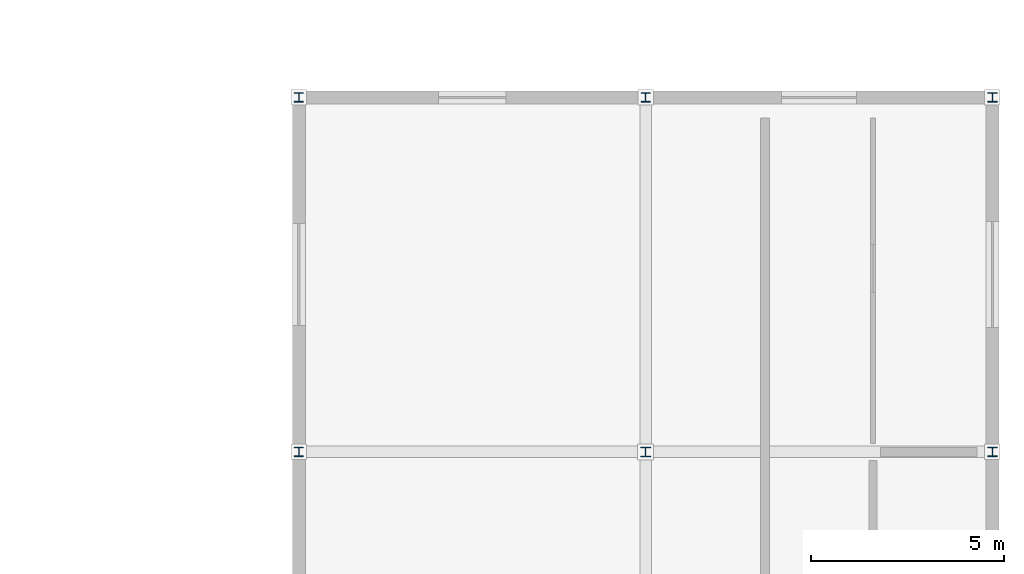
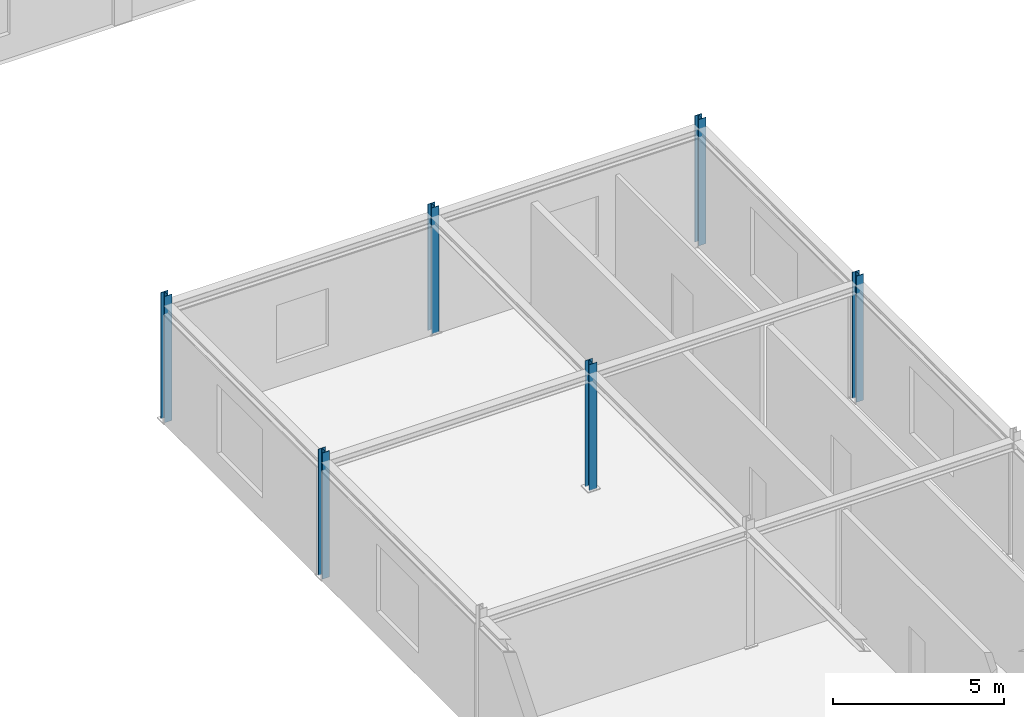
# One storey, part 5 of 55: 6 columns.
"""IFC4 building model written with IfcOpenShell, lengths in metres."""

import ifcopenshell
import ifcopenshell.guid

model = None  # the IFC model being written
_history = None  # IfcOwnerHistory: only IFC2X3 demands one
_inside = {}  # id of a spatial element -> (the spatial element, [elements in it])
_under = {}  # id of a project, library or spatial element -> (it, [spatial elements below it])
_declared = {}  # id of a project -> (the project, [libraries it declares])
_typed = {}  # id of a type object -> (the type object, [elements of that type])
_made_of = {}  # id of a material, layer set ... -> (it, [elements and type objects made of it])


def new_model(schema):
    """Start an empty IFC model of exactly this schema.

    Asked for "IFC4X3", IfcOpenShell would pick the latest addendum, in which some entities
    have other attributes; the version numbers below select the first issue.
    IFC2X3 requires an IfcOwnerHistory on every rooted entity: one is made here for all.
    """
    global model, _history
    if schema == "IFC4X3":
        model = ifcopenshell.file(schema_version=(4, 3, 0, 0))
    else:
        model = ifcopenshell.file(schema=schema)
    _inside.clear()
    _under.clear()
    _declared.clear()
    _typed.clear()
    _made_of.clear()
    _history = None
    if model.schema == "IFC2X3":
        org = make("IfcOrganization", Name="unknown")
        user = make(
            "IfcPersonAndOrganization",
            ThePerson=make("IfcPerson", FamilyName="unknown"),
            TheOrganization=org,
        )
        app = make(
            "IfcApplication",
            ApplicationDeveloper=org,
            Version="unknown",
            ApplicationFullName="unknown",
            ApplicationIdentifier="unknown",
        )
        _history = make(
            "IfcOwnerHistory",
            OwningUser=user,
            OwningApplication=app,
            ChangeAction="ADDED",
            CreationDate=0,
        )
    return model


def make(cls, **values):
    """One entity of the class cls with the attributes given. An attribute that is None is left unset."""
    return model.create_entity(
        cls, **{name: value for name, value in values.items() if value is not None}
    )


def rooted(cls, **values):
    """An entity with a GlobalId (a new one), such as an element, a storey or a relation."""
    return make(cls, GlobalId=ifcopenshell.guid.new(), OwnerHistory=_history, **values)


def si_unit(unit_type, name, prefix=None):
    """IfcSIUnit, for example si_unit("LENGTHUNIT", "METRE", prefix="MILLI")."""
    return make("IfcSIUnit", UnitType=unit_type, Prefix=prefix, Name=name)


def assignment(units):
    """IfcUnitAssignment: the units of a project."""
    return None if units is None else make("IfcUnitAssignment", Units=units)


def point(xyz):
    """IfcCartesianPoint."""
    return None if xyz is None else make("IfcCartesianPoint", Coordinates=xyz)


def direction(xyz):
    """IfcDirection."""
    return None if xyz is None else make("IfcDirection", DirectionRatios=xyz)


def frame(location, z_axis=None, x_axis=None):
    """IfcAxis2Placement3D, a coordinate frame: its origin and axes. An axis left out is left unset."""
    return make(
        "IfcAxis2Placement3D",
        Location=point(location),
        Axis=direction(z_axis),
        RefDirection=direction(x_axis),
    )


def frame_2d(location, x_axis=None):
    """IfcAxis2Placement2D, a coordinate frame in the plane: its origin and x axis."""
    return make(
        "IfcAxis2Placement2D", Location=point(location), RefDirection=direction(x_axis)
    )


def origin():
    """The frame at (0, 0, 0) with its axes left unset."""
    return frame((0.0, 0.0, 0.0))


def origin_2d():
    """The frame at (0, 0) in the plane with its x axis left unset."""
    return frame_2d((0.0, 0.0))


def place(relative_to, where):
    """IfcLocalPlacement: puts the frame where relative to a parent placement (None: the world)."""
    return make(
        "IfcLocalPlacement", PlacementRelTo=relative_to, RelativePlacement=where
    )


def context(
    kind, dimensions, precision=None, world=None, true_north=None, identifier=None
):
    """IfcGeometricRepresentationContext, for example the 3D "Model" context."""
    return make(
        "IfcGeometricRepresentationContext",
        ContextIdentifier=identifier,
        ContextType=kind,
        CoordinateSpaceDimension=dimensions,
        Precision=precision,
        WorldCoordinateSystem=world,
        TrueNorth=true_north,
    )


def subcontext(parent, identifier, kind, view, scale=None):
    """IfcGeometricRepresentationSubContext, for example "Body" below "Model"."""
    return make(
        "IfcGeometricRepresentationSubContext",
        ContextIdentifier=identifier,
        ContextType=kind,
        ParentContext=parent,
        TargetScale=scale,
        TargetView=view,
    )


def project(units=None, contexts=None):
    """IfcProject with its units and contexts."""
    return rooted(
        "IfcProject",
        Name="project",
        RepresentationContexts=contexts,
        UnitsInContext=assignment(units),
    )


def spatial(cls, under=None, at=None, **own):
    """A site, building, storey or space (cls), placed at a placement, below another one or the project."""
    s = rooted(cls, ObjectPlacement=at, **own)
    if under is not None:
        _under.setdefault(under.id(), (under, []))[1].append(s)
    return s


def profile(cls, at=None, kind="AREA", **sizes):
    """A parametric profile (cls). Its sizes go by their IFC names, for example OverallWidth=200.0."""
    return make(cls, ProfileType=kind, Position=at, **sizes)


def i_section(**sizes):
    """IfcIShapeProfileDef."""
    return profile("IfcIShapeProfileDef", **sizes)


def extrude(swept, where, along, depth):
    """IfcExtrudedAreaSolid: the profile swept, set in the frame where, extruded along a direction by depth."""
    return make(
        "IfcExtrudedAreaSolid",
        SweptArea=swept,
        Position=where,
        ExtrudedDirection=direction(along),
        Depth=depth,
    )


def shape(context_of_items, identifier, shape_type, items):
    """IfcShapeRepresentation: the items that make up one representation, for example the "Body"."""
    return make(
        "IfcShapeRepresentation",
        ContextOfItems=context_of_items,
        RepresentationIdentifier=identifier,
        RepresentationType=shape_type,
        Items=items,
    )


def material(Name=None, Category=None):
    """IfcMaterial."""
    return make("IfcMaterial", Name=Name, Category=Category)


def material_profile(
    of_material, cross_section, Name=None, Category=None, Priority=None
):
    """IfcMaterialProfile: a cross section and its material."""
    return make(
        "IfcMaterialProfile",
        Name=Name,
        Material=of_material,
        Profile=cross_section,
        Priority=Priority,
        Category=Category,
    )


def profile_set(profiles, Name=None, composite=None):
    """IfcMaterialProfileSet."""
    return make(
        "IfcMaterialProfileSet",
        Name=Name,
        MaterialProfiles=profiles,
        CompositeProfile=composite,
    )


def made_of(thing, what):
    """Note that an element or type object is made of a material, layer set ...; save() writes the relation."""
    if what is not None:
        _made_of.setdefault(what.id(), (what, []))[1].append(thing)
    return thing


def type_object(cls, material=None, **own):
    """A type object (cls), such as IfcWallType, which elements share."""
    return made_of(rooted(cls, **own), material)


def element(
    cls,
    number,
    at=None,
    inside=None,
    cuts=None,
    type_object=None,
    material=None,
    context=None,
    identifier="Body",
    shape_type=None,
    held_by="IfcProductDefinitionShape",
    body=None,
    shapes=None,
    **own,
):
    """One element of the class cls, such as IfcWall. Its Tag is "e" and its number.

    at: its placement. inside: the storey or other place that contains it. cuts: it is an
    opening in that element (IfcRelVoidsElement). A single representation is given by context,
    identifier, shape_type and body (its items); several are given by shapes. held_by: the class
    of the entity that holds the representations. save() writes the other relations.
    """
    e = rooted(cls, Tag="e%d" % number, ObjectPlacement=at, **own)
    if body is not None:
        shapes = [shape(context, identifier, shape_type, body)]
    if shapes is not None:
        e.Representation = make(held_by, Representations=shapes)
    if inside is not None:
        _inside.setdefault(inside.id(), (inside, []))[1].append(e)
    if cuts is not None:
        rooted(
            "IfcRelVoidsElement", RelatingBuildingElement=cuts, RelatedOpeningElement=e
        )
    if type_object is not None:
        _typed.setdefault(type_object.id(), (type_object, []))[1].append(e)
    return made_of(e, material)


def aggregate(whole, parts):
    """IfcRelAggregates: a whole, such as a stair, and the parts it consists of."""
    return rooted("IfcRelAggregates", RelatingObject=whole, RelatedObjects=parts)


def save(model, path):
    """Write the relations noted so far, then the file.

    IfcRelAggregates (storeys below a building ...), IfcRelContainedInSpatialStructure (elements
    in a storey), IfcRelDefinesByType, IfcRelAssociatesMaterial and IfcRelDeclares: one each for
    every whole, place, type object, material and project.
    """
    for whole, parts in _under.values():
        aggregate(whole, parts)
    for where, things in _inside.values():
        rooted(
            "IfcRelContainedInSpatialStructure",
            RelatedElements=things,
            RelatingStructure=where,
        )
    for kind, things in _typed.values():
        rooted("IfcRelDefinesByType", RelatedObjects=things, RelatingType=kind)
    for what, things in _made_of.values():
        rooted("IfcRelAssociatesMaterial", RelatedObjects=things, RelatingMaterial=what)
    for by, libraries in _declared.values():
        rooted("IfcRelDeclares", RelatingContext=by, RelatedDefinitions=libraries)
    model.write(path)


model = new_model("IFC4")

# Units and contexts
model_context = context("Model", 3, precision=1e-05, world=origin(), true_north=direction((0.0, 1.0)))
body_context = subcontext(model_context, "Body", "Model", "MODEL_VIEW")
ifc_project = project(units=[si_unit("LENGTHUNIT", "METRE"), si_unit("AREAUNIT", "SQUARE_METRE"), si_unit("VOLUMEUNIT", "CUBIC_METRE"), si_unit("PLANEANGLEUNIT", "RADIAN"), si_unit("MASSUNIT", "GRAM", prefix="KILO")], contexts=[model_context])

# Site, building, storey
site_placement = place(None, origin())
site = spatial("IfcSite", under=ifc_project, at=site_placement, CompositionType="ELEMENT")
building_placement = place(site_placement, origin())
building = spatial("IfcBuilding", under=site, at=building_placement, Name="Bozkorgan Art Gallery", CompositionType="ELEMENT")
storey_placement = place(building_placement, frame((0.0, 0.0, 15.0)))
storey = spatial("IfcBuildingStorey", under=building, at=storey_placement, Name="L03", CompositionType="ELEMENT", Elevation=15.0)

# Columns
ifc_material = material(Name="Steel S355J2", Category="steel")
ifc_material_profile_1 = material_profile(ifc_material, i_section(OverallWidth=0.239990234375, OverallDepth=0.239990234375, WebThickness=0.010009765625, FlangeThickness=0.01708984375, FilletRadius=0.02099609375, at=origin_2d()), Name="HEB 240")
ifc_profile_set_1 = profile_set([ifc_material_profile_1], Name="Steel S355J2")
column_type_1 = type_object("IfcColumnType", Name="COLUMN-C-35", PredefinedType="COLUMN", material=ifc_profile_set_1)
for number, where, z_axis, x_axis, name in (
    (1, (146.0, 38.39990234375, 0.0), (0.0, 0.0, 1.0), (1.0, 0.0, 0.0), "V6 L03 column (146.0, 38.4)"),
    (2, (146.0, 47.60009765625, 0.0), (0.0, 0.0, 1.0), (1.0, 0.0, 0.0), "V6 L03 column (146.0, 47.6)"),
    (3, (155.0, 47.60009765625, 0.0), (0.0, 0.0, 1.0), (1.0, 0.0, 0.0), "V6 L03 column (155.0, 47.6)"),
    (4, (164.0, 38.39990234375, 0.0), (0.0, 0.0, 1.0), (1.0, 0.0, 0.0), "V6 L03 column (164.0, 38.4)"),
    (5, (164.0, 47.60009765625, 0.0), (0.0, 0.0, 1.0), (1.0, 0.0, 0.0), "V6 L03 column (164.0, 47.6)"),
):
    element("IfcColumn", number, at=place(storey_placement, frame(where, z_axis=z_axis, x_axis=x_axis)), inside=storey, type_object=column_type_1, Name=name, PredefinedType="COLUMN", context=body_context, shape_type="SweptSolid", body=[
        extrude(i_section(OverallWidth=0.239990234375, OverallDepth=0.239990234375, WebThickness=0.010009765625, FlangeThickness=0.01708984375, FilletRadius=0.02099609375, at=origin_2d()), origin(), (0.0, 0.0, 1.0), 4.5),
    ])
ifc_material_profile_2 = material_profile(ifc_material, i_section(OverallWidth=0.260009765625, OverallDepth=0.25, WebThickness=0.007568359375, FlangeThickness=0.012451171875, FilletRadius=0.02392578125, at=origin_2d()), Name="HEA 260")
ifc_profile_set_2 = profile_set([ifc_material_profile_2], Name="Steel S355J2")
column_type_2 = type_object("IfcColumnType", Name="COLUMN-C-76", PredefinedType="COLUMN", material=ifc_profile_set_2)
column_placement = place(storey_placement, frame((155.0, 38.39990234375, 0.0), z_axis=(0.0, 0.0, 1.0), x_axis=(1.0, 0.0, 0.0)))
element("IfcColumn", 6, at=column_placement, inside=storey, type_object=column_type_2, Name="V6 L03 column (155.0, 38.4)", PredefinedType="COLUMN", context=body_context, shape_type="SweptSolid", body=[
    extrude(i_section(OverallWidth=0.260009765625, OverallDepth=0.25, WebThickness=0.007568359375, FlangeThickness=0.012451171875, FilletRadius=0.02392578125, at=origin_2d()), origin(), (0.0, 0.0, 1.0), 4.5),
])

save(model, "model.ifc")
